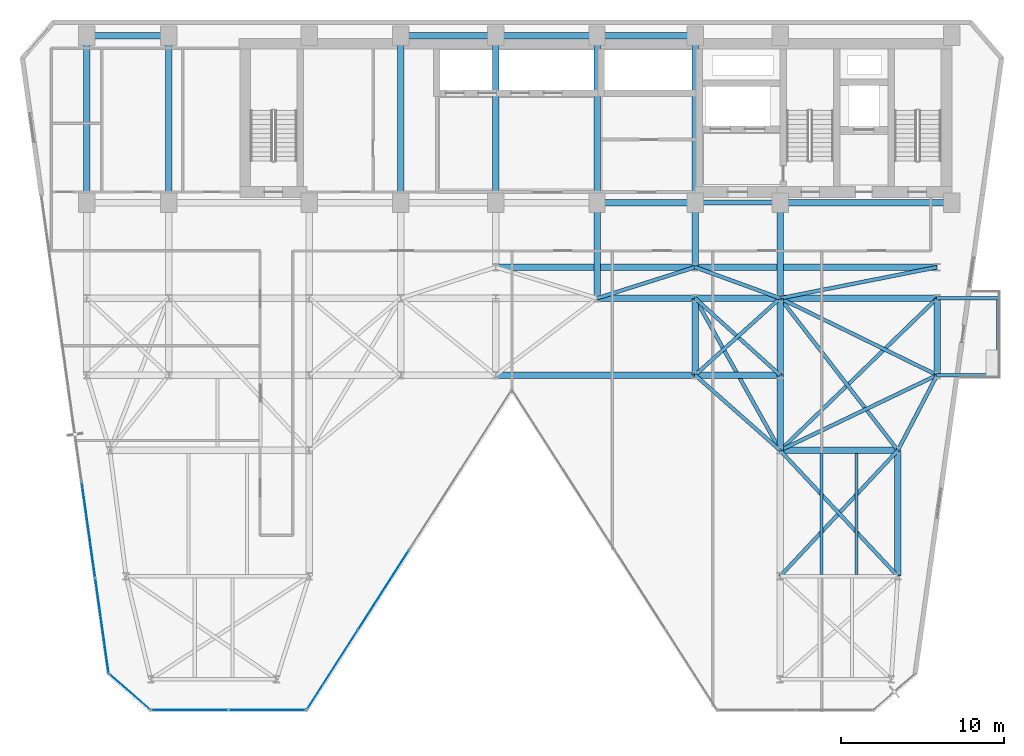
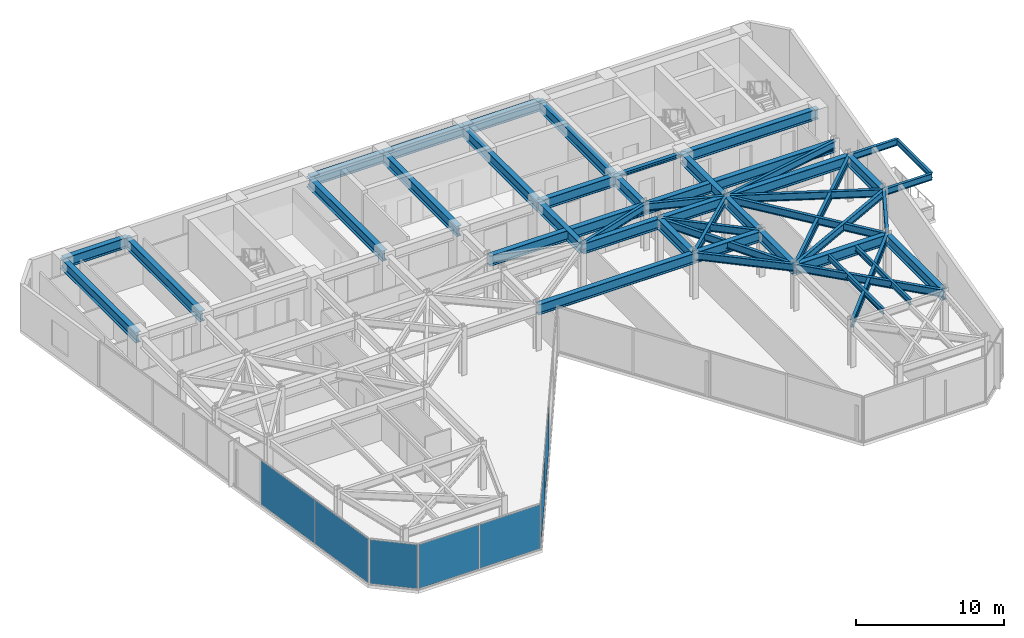
# One storey, part 20 of 26: 48 beams, 7 plates, 4 elements without a shape of their own.
"""IFC4 building model written with IfcOpenShell, lengths in metres."""

from ifc_helpers import new_model, si_unit, direction, frame, origin, origin_2d, place, context, subcontext, project, spatial, rectangle, i_section, extrude, material, layer, layer_set, material_profile, profile_set, type_object, element, aggregate, save


model = new_model("IFC4")

# Units and contexts
model_context = context("Model", 3, precision=1e-05, world=origin(), true_north=direction((0.0, 1.0)))
body_context = subcontext(model_context, "Body", "Model", "MODEL_VIEW")
ifc_project = project(units=[si_unit("LENGTHUNIT", "METRE"), si_unit("AREAUNIT", "SQUARE_METRE"), si_unit("VOLUMEUNIT", "CUBIC_METRE"), si_unit("PLANEANGLEUNIT", "RADIAN"), si_unit("MASSUNIT", "GRAM", prefix="KILO")], contexts=[model_context])

# Site, building, storey
site_placement = place(None, origin())
site = spatial("IfcSite", under=ifc_project, at=site_placement, CompositionType="ELEMENT")
building_placement = place(site_placement, origin())
building = spatial("IfcBuilding", under=site, at=building_placement, Name="Kravanh Interchange Tower", CompositionType="ELEMENT")
storey_placement = place(building_placement, frame((0.0, 0.0, 140.0)))
storey = spatial("IfcBuildingStorey", under=building, at=storey_placement, Name="L33", CompositionType="ELEMENT", Elevation=140.0)

# Beams
ifc_material_1 = material(Name="Structural Steel S355", Category="steel")
ifc_material_profile_1 = material_profile(ifc_material_1, i_section(OverallWidth=0.39990234375, OverallDepth=0.85595703125, WebThickness=0.018310546875, FlangeThickness=0.029296875, FilletRadius=0.02490234375, at=origin_2d()), Name="W33X201")
ifc_profile_set_1 = profile_set([ifc_material_profile_1], Name="Structural Steel S355")
beam_type_1 = type_object("IfcBeamType", Name="Floor Beam W33X201 Structural Steel S355", PredefinedType="BEAM", material=ifc_profile_set_1)
beam_1_placement = place(storey_placement, frame((66.5, 37.35009765625, 3.322021484375), z_axis=(-1.0, 0.0, 0.0), x_axis=(0.0, -1.0, 0.0)))
element("IfcBeam", 1, at=beam_1_placement, inside=storey, type_object=beam_type_1, Name="L33 Primary Floor Girder 5", PredefinedType="BEAM", context=body_context, shape_type="SweptSolid", body=[
    extrude(i_section(OverallWidth=0.39990234375, OverallDepth=0.85595703125, WebThickness=0.018310546875, FlangeThickness=0.029296875, FilletRadius=0.02490234375, at=origin_2d()), origin(), (0.0, 0.0, 1.0), 10.5),
])
beam_2_placement = place(storey_placement, frame((56.0, 37.35009765625, 3.322021484375), z_axis=(0.0, -1.0, 0.0), x_axis=(1.0, 0.0, 0.0)))
element("IfcBeam", 2, at=beam_2_placement, inside=storey, type_object=beam_type_1, Name="L33 Primary Floor Girder 7", PredefinedType="BEAM", context=body_context, shape_type="SweptSolid", body=[
    extrude(i_section(OverallWidth=0.39990234375, OverallDepth=0.85595703125, WebThickness=0.018310546875, FlangeThickness=0.029296875, FilletRadius=0.02490234375, at=origin_2d()), origin(), (0.0, 0.0, 1.0), 5.85009765625),
])
beam_3_placement = place(storey_placement, frame((50.800048828125, 47.550048828125, 3.322021484375), z_axis=(-1.0, 0.0, 0.0), x_axis=(0.0, -1.0, 0.0)))
element("IfcBeam", 3, at=beam_3_placement, inside=storey, type_object=beam_type_1, Name="L33 Primary Floor Girder 8", PredefinedType="BEAM", context=body_context, shape_type="SweptSolid", body=[
    extrude(i_section(OverallWidth=0.39990234375, OverallDepth=0.85595703125, WebThickness=0.018310546875, FlangeThickness=0.029296875, FilletRadius=0.02490234375, at=origin_2d()), origin(), (0.0, 0.0, 1.0), 6.0),
])
beam_4_placement = place(storey_placement, frame((50.800048828125, 47.550048828125, 3.322021484375), z_axis=(0.0, -1.0, 0.0), x_axis=(1.0, 0.0, 0.0)))
element("IfcBeam", 4, at=beam_4_placement, inside=storey, type_object=beam_type_1, Name="L33 Primary Floor Girder 9", PredefinedType="BEAM", context=body_context, shape_type="SweptSolid", body=[
    extrude(i_section(OverallWidth=0.39990234375, OverallDepth=0.85595703125, WebThickness=0.018310546875, FlangeThickness=0.029296875, FilletRadius=0.02490234375, at=origin_2d()), origin(), (0.0, 0.0, 1.0), 10.199951171875),
])
beam_5_placement = place(storey_placement, frame((50.800048828125, 37.35009765625, 3.322021484375), z_axis=(0.0, -1.0, 0.0), x_axis=(1.0, 0.0, 0.0)))
element("IfcBeam", 5, at=beam_5_placement, inside=storey, type_object=beam_type_1, Name="L33 Primary Floor Girder 10", PredefinedType="BEAM", context=body_context, shape_type="SweptSolid", body=[
    extrude(i_section(OverallWidth=0.39990234375, OverallDepth=0.85595703125, WebThickness=0.018310546875, FlangeThickness=0.029296875, FilletRadius=0.02490234375, at=origin_2d()), origin(), (0.0, 0.0, 1.0), 3.9501953125),
])
beam_6_placement = place(storey_placement, frame((50.800048828125, 37.35009765625, 3.322021484375), z_axis=(-1.0, 0.0, 0.0), x_axis=(0.0, -1.0, 0.0)))
element("IfcBeam", 6, at=beam_6_placement, inside=storey, type_object=beam_type_1, Name="L33 Primary Floor Girder 11", PredefinedType="BEAM", context=body_context, shape_type="SweptSolid", body=[
    extrude(i_section(OverallWidth=0.39990234375, OverallDepth=0.85595703125, WebThickness=0.018310546875, FlangeThickness=0.029296875, FilletRadius=0.02490234375, at=origin_2d()), origin(), (0.0, 0.0, 1.0), 6.0),
])
beam_7_placement = place(storey_placement, frame((44.800048828125, 37.35009765625, 3.322021484375), z_axis=(0.0, -1.0, 0.0), x_axis=(1.0, 0.0, 0.0)))
element("IfcBeam", 7, at=beam_7_placement, inside=storey, type_object=beam_type_1, Name="L33 Primary Floor Girder 12", PredefinedType="BEAM", context=body_context, shape_type="SweptSolid", body=[
    extrude(i_section(OverallWidth=0.39990234375, OverallDepth=0.85595703125, WebThickness=0.018310546875, FlangeThickness=0.029296875, FilletRadius=0.02490234375, at=origin_2d()), origin(), (0.0, 0.0, 1.0), 5.85009765625),
])
beam_8_placement = place(storey_placement, frame((44.800048828125, 37.35009765625, 3.322021484375), z_axis=(0.0, 1.0, 0.0), x_axis=(-1.0, 0.0, 0.0)))
element("IfcBeam", 8, at=beam_8_placement, inside=storey, type_object=beam_type_1, Name="L33 Primary Floor Girder 14", PredefinedType="BEAM", context=body_context, shape_type="SweptSolid", body=[
    extrude(i_section(OverallWidth=0.39990234375, OverallDepth=0.85595703125, WebThickness=0.018310546875, FlangeThickness=0.029296875, FilletRadius=0.02490234375, at=origin_2d()), origin(), (0.0, 0.0, 1.0), 10.199951171875),
])
beam_9_placement = place(storey_placement, frame((44.800048828125, 47.550048828125, 3.322021484375), z_axis=(-1.0, 0.0, 0.0), x_axis=(0.0, -1.0, 0.0)))
element("IfcBeam", 9, at=beam_9_placement, inside=storey, type_object=beam_type_1, Name="L33 Primary Floor Girder 15", PredefinedType="BEAM", context=body_context, shape_type="SweptSolid", body=[
    extrude(i_section(OverallWidth=0.39990234375, OverallDepth=0.85595703125, WebThickness=0.018310546875, FlangeThickness=0.029296875, FilletRadius=0.02490234375, at=origin_2d()), origin(), (0.0, 0.0, 1.0), 6.199951171875),
])
beam_10_placement = place(storey_placement, frame((38.60009765625, 37.35009765625, 3.322021484375), z_axis=(0.0, 1.0, 0.0), x_axis=(-1.0, 0.0, 0.0)))
element("IfcBeam", 10, at=beam_10_placement, inside=storey, type_object=beam_type_1, Name="L33 Primary Floor Girder 18", PredefinedType="BEAM", context=body_context, shape_type="SweptSolid", body=[
    extrude(i_section(OverallWidth=0.39990234375, OverallDepth=0.85595703125, WebThickness=0.018310546875, FlangeThickness=0.029296875, FilletRadius=0.02490234375, at=origin_2d()), origin(), (0.0, 0.0, 1.0), 10.199951171875),
])
beam_11_placement = place(storey_placement, frame((38.60009765625, 47.550048828125, 3.322021484375), z_axis=(-1.0, 0.0, 0.0), x_axis=(0.0, -1.0, 0.0)))
element("IfcBeam", 11, at=beam_11_placement, inside=storey, type_object=beam_type_1, Name="L33 Primary Floor Girder 19", PredefinedType="BEAM", context=body_context, shape_type="SweptSolid", body=[
    extrude(i_section(OverallWidth=0.39990234375, OverallDepth=0.85595703125, WebThickness=0.018310546875, FlangeThickness=0.029296875, FilletRadius=0.02490234375, at=origin_2d()), origin(), (0.0, 0.0, 1.0), 5.800048828125),
])
for number, where, z_axis, x_axis, name in (
    (12, (32.800048828125, 37.35009765625, 3.322021484375), (0.0, 1.0, 0.0), (-1.0, 0.0, 0.0), "L33 Primary Floor Girder 22"),
    (13, (18.60009765625, 37.35009765625, 3.322021484375), (0.0, 1.0, 0.0), (-1.0, 0.0, 0.0), "L33 Primary Floor Girder 30"),
):
    element("IfcBeam", number, at=place(storey_placement, frame(where, z_axis=z_axis, x_axis=x_axis)), inside=storey, type_object=beam_type_1, Name=name, PredefinedType="BEAM", context=body_context, shape_type="SweptSolid", body=[
        extrude(i_section(OverallWidth=0.39990234375, OverallDepth=0.85595703125, WebThickness=0.018310546875, FlangeThickness=0.029296875, FilletRadius=0.02490234375, at=origin_2d()), origin(), (0.0, 0.0, 1.0), 10.199951171875),
    ])
beam_12_placement = place(storey_placement, frame((18.60009765625, 47.550048828125, 3.322021484375), z_axis=(-1.0, 0.0, 0.0), x_axis=(0.0, -1.0, 0.0)))
element("IfcBeam", 14, at=beam_12_placement, inside=storey, type_object=beam_type_1, Name="L33 Primary Floor Girder 31", PredefinedType="BEAM", context=body_context, shape_type="SweptSolid", body=[
    extrude(i_section(OverallWidth=0.39990234375, OverallDepth=0.85595703125, WebThickness=0.018310546875, FlangeThickness=0.029296875, FilletRadius=0.02490234375, at=origin_2d()), origin(), (0.0, 0.0, 1.0), 5.0),
])
beam_13_placement = place(storey_placement, frame((13.60009765625, 37.35009765625, 3.322021484375), z_axis=(0.0, 1.0, 0.0), x_axis=(-1.0, 0.0, 0.0)))
element("IfcBeam", 15, at=beam_13_placement, inside=storey, type_object=beam_type_1, Name="L33 Primary Floor Girder 33", PredefinedType="BEAM", context=body_context, shape_type="SweptSolid", body=[
    extrude(i_section(OverallWidth=0.39990234375, OverallDepth=0.85595703125, WebThickness=0.018310546875, FlangeThickness=0.029296875, FilletRadius=0.02490234375, at=origin_2d()), origin(), (0.0, 0.0, 1.0), 10.199951171875),
])
beam_14_placement = place(storey_placement, frame((38.60009765625, 26.800048828125, 3.322021484375), z_axis=(1.0, 0.0, 0.0), x_axis=(0.0, 1.0, 0.0)))
element("IfcBeam", 16, at=beam_14_placement, inside=storey, type_object=beam_type_1, Name="L33 Primary Floor Girder 56", PredefinedType="BEAM", context=body_context, shape_type="SweptSolid", body=[
    extrude(i_section(OverallWidth=0.39990234375, OverallDepth=0.85595703125, WebThickness=0.018310546875, FlangeThickness=0.029296875, FilletRadius=0.02490234375, at=origin_2d()), origin(), (0.0, 0.0, 1.0), 12.199951171875),
])
beam_15_placement = place(storey_placement, frame((50.800048828125, 26.800048828125, 3.322021484375), z_axis=(0.0, 1.0, 0.0), x_axis=(-1.0, 0.0, 0.0)))
element("IfcBeam", 17, at=beam_15_placement, inside=storey, type_object=beam_type_1, Name="L33 Primary Floor Girder 57", PredefinedType="BEAM", context=body_context, shape_type="SweptSolid", body=[
    extrude(i_section(OverallWidth=0.39990234375, OverallDepth=0.85595703125, WebThickness=0.018310546875, FlangeThickness=0.029296875, FilletRadius=0.02490234375, at=origin_2d()), origin(), (0.0, 0.0, 1.0), 4.699951171875),
])
beam_16_placement = place(storey_placement, frame((50.800048828125, 26.800048828125, 3.322021484375), z_axis=(1.0, 0.0, 0.0), x_axis=(0.0, 1.0, 0.0)))
element("IfcBeam", 18, at=beam_16_placement, inside=storey, type_object=beam_type_1, Name="L33 Primary Floor Girder 58", PredefinedType="BEAM", context=body_context, shape_type="SweptSolid", body=[
    extrude(i_section(OverallWidth=0.39990234375, OverallDepth=0.85595703125, WebThickness=0.018310546875, FlangeThickness=0.029296875, FilletRadius=0.02490234375, at=origin_2d()), origin(), (0.0, 0.0, 1.0), 5.199951171875),
])
beam_17_placement = place(storey_placement, frame((56.0, 26.800048828125, 3.322021484375), z_axis=(0.0, -1.0, 0.0), x_axis=(1.0, 0.0, 0.0)))
element("IfcBeam", 19, at=beam_17_placement, inside=storey, type_object=beam_type_1, Name="L33 Primary Floor Girder 61", PredefinedType="BEAM", context=body_context, shape_type="SweptSolid", body=[
    extrude(i_section(OverallWidth=0.39990234375, OverallDepth=0.85595703125, WebThickness=0.018310546875, FlangeThickness=0.029296875, FilletRadius=0.02490234375, at=origin_2d()), origin(), (0.0, 0.0, 1.0), 4.60009765625),
])
for number, where, z_axis, x_axis, name in (
    (20, (56.0, 26.800048828125, 3.322021484375), (0.0, 1.0, 0.0), (-1.0, 0.0, 0.0), "L33 Primary Floor Girder 62"),
    (21, (65.60009765625, 26.800048828125, 3.322021484375), (0.0, 1.0, 0.0), (-1.0, 0.0, 0.0), "L33 Primary Floor Girder 65"),
):
    element("IfcBeam", number, at=place(storey_placement, frame(where, z_axis=z_axis, x_axis=x_axis)), inside=storey, type_object=beam_type_1, Name=name, PredefinedType="BEAM", context=body_context, shape_type="SweptSolid", body=[
        extrude(i_section(OverallWidth=0.39990234375, OverallDepth=0.85595703125, WebThickness=0.018310546875, FlangeThickness=0.029296875, FilletRadius=0.02490234375, at=origin_2d()), origin(), (0.0, 0.0, 1.0), 4.699951171875),
    ])
beam_18_placement = place(storey_placement, frame((44.800048828125, 31.5, 3.322021484375), z_axis=(1.0, 0.0, 0.0), x_axis=(0.0, 1.0, 0.0)))
element("IfcBeam", 22, at=beam_18_placement, inside=storey, type_object=beam_type_1, Name="L33 Primary Floor Girder 83", PredefinedType="BEAM", context=body_context, shape_type="SweptSolid", body=[
    extrude(i_section(OverallWidth=0.39990234375, OverallDepth=0.85595703125, WebThickness=0.018310546875, FlangeThickness=0.029296875, FilletRadius=0.02490234375, at=origin_2d()), origin(), (0.0, 0.0, 1.0), 6.0),
])
beam_19_placement = place(storey_placement, frame((50.800048828125, 31.5, 3.322021484375), z_axis=(1.0, 0.0, 0.0), x_axis=(0.0, 1.0, 0.0)))
element("IfcBeam", 23, at=beam_19_placement, inside=storey, type_object=beam_type_1, Name="L33 Primary Floor Girder 86", PredefinedType="BEAM", context=body_context, shape_type="SweptSolid", body=[
    extrude(i_section(OverallWidth=0.39990234375, OverallDepth=0.85595703125, WebThickness=0.018310546875, FlangeThickness=0.029296875, FilletRadius=0.02490234375, at=origin_2d()), origin(), (0.0, 0.0, 1.0), 5.199951171875),
])
beam_20_placement = place(storey_placement, frame((56.0, 31.5, 3.322021484375), z_axis=(1.0, 0.0, 0.0), x_axis=(0.0, 1.0, 0.0)))
element("IfcBeam", 24, at=beam_20_placement, inside=storey, type_object=beam_type_1, Name="L33 Primary Floor Girder 90", PredefinedType="BEAM", context=body_context, shape_type="SweptSolid", body=[
    extrude(i_section(OverallWidth=0.39990234375, OverallDepth=0.85595703125, WebThickness=0.018310546875, FlangeThickness=0.029296875, FilletRadius=0.02490234375, at=origin_2d()), origin(), (0.0, 0.0, 1.0), 9.60009765625),
])
beam_21_placement = place(storey_placement, frame((63.199951171875, 14.5, 3.322021484375), z_axis=(0.0, 1.0, 0.0), x_axis=(-1.0, 0.0, 0.0)))
element("IfcBeam", 25, at=beam_21_placement, inside=storey, type_object=beam_type_1, Name="L33 Primary Floor Girder 106", PredefinedType="BEAM", context=body_context, shape_type="SweptSolid", body=[
    extrude(i_section(OverallWidth=0.39990234375, OverallDepth=0.85595703125, WebThickness=0.018310546875, FlangeThickness=0.029296875, FilletRadius=0.02490234375, at=origin_2d()), origin(), (0.0, 0.0, 1.0), 7.699951171875),
])
beam_22_placement = place(storey_placement, frame((56.0, 22.199951171875, 3.322021484375), z_axis=(1.0, 0.0, 0.0), x_axis=(0.0, 1.0, 0.0)))
element("IfcBeam", 26, at=beam_22_placement, inside=storey, type_object=beam_type_1, Name="L33 Primary Floor Girder 109", PredefinedType="BEAM", context=body_context, shape_type="SweptSolid", body=[
    extrude(i_section(OverallWidth=0.39990234375, OverallDepth=0.85595703125, WebThickness=0.018310546875, FlangeThickness=0.029296875, FilletRadius=0.02490234375, at=origin_2d()), origin(), (0.0, 0.0, 1.0), 7.199951171875),
])
beam_23_placement = place(storey_placement, frame((38.60009765625, 33.39990234375, 3.322021484375), z_axis=(1.0, 0.0, 0.0), x_axis=(0.0, 1.0, 0.0)))
element("IfcBeam", 27, at=beam_23_placement, inside=storey, type_object=beam_type_1, Name="L33 Primary Floor Girder 111", PredefinedType="BEAM", context=body_context, shape_type="SweptSolid", body=[
    extrude(i_section(OverallWidth=0.39990234375, OverallDepth=0.85595703125, WebThickness=0.018310546875, FlangeThickness=0.029296875, FilletRadius=0.02490234375, at=origin_2d()), origin(), (0.0, 0.0, 1.0), 12.199951171875),
])
beam_24_placement = place(storey_placement, frame((50.800048828125, 33.39990234375, 3.322021484375), z_axis=(1.0, 0.0, 0.0), x_axis=(0.0, 1.0, 0.0)))
element("IfcBeam", 28, at=beam_24_placement, inside=storey, type_object=beam_type_1, Name="L33 Primary Floor Girder 112", PredefinedType="BEAM", context=body_context, shape_type="SweptSolid", body=[
    extrude(i_section(OverallWidth=0.39990234375, OverallDepth=0.85595703125, WebThickness=0.018310546875, FlangeThickness=0.029296875, FilletRadius=0.02490234375, at=origin_2d()), origin(), (0.0, 0.0, 1.0), 14.800048828125),
])
ifc_material_2 = material(Name="Structural Steel S355", Category="steel")
ifc_material_profile_2 = material_profile(ifc_material_2, i_section(OverallWidth=0.18994140625, OverallDepth=0.45703125, WebThickness=0.009033203125, FlangeThickness=0.014404296875, FilletRadius=0.01806640625, at=origin_2d()), Name="W18X50")
ifc_profile_set_2 = profile_set([ifc_material_profile_2], Name="Structural Steel S355")
beam_type_2 = type_object("IfcBeamType", Name="Floor Joist W18X50 Structural Steel S355", PredefinedType="JOIST", material=ifc_profile_set_2)
for number, where, z_axis, x_axis, name in (
    (29, (58.5380859375, 14.60888671875, 3.521484375), (0.0, 1.0, 0.0), (-1.0, 0.0, 0.0), "L33 Secondary Floor Joist 7"),
    (30, (60.662109375, 14.60888671875, 3.521484375), (0.0, 1.0, 0.0), (-1.0, 0.0, 0.0), "L33 Secondary Floor Joist 8"),
):
    element("IfcBeam", number, at=place(storey_placement, frame(where, z_axis=z_axis, x_axis=x_axis)), inside=storey, type_object=beam_type_2, Name=name, PredefinedType="JOIST", context=body_context, shape_type="SweptSolid", body=[
        extrude(i_section(OverallWidth=0.18994140625, OverallDepth=0.45703125, WebThickness=0.009033203125, FlangeThickness=0.014404296875, FilletRadius=0.01806640625, at=origin_2d()), origin(), (0.0, 0.0, 1.0), 7.39599609375),
    ])
beam_25_placement = place(storey_placement, frame((69.330078125, 26.800048828125, 3.521484375), z_axis=(0.0, 1.0, 0.0), x_axis=(-1.0, 0.0, 0.0)))
element("IfcBeam", 31, at=beam_25_placement, inside=storey, type_object=beam_type_2, Name="L33 Balcony Edge Tie Beam E", PredefinedType="JOIST", context=body_context, shape_type="SweptSolid", body=[
    extrude(i_section(OverallWidth=0.18994140625, OverallDepth=0.45703125, WebThickness=0.009033203125, FlangeThickness=0.014404296875, FilletRadius=0.01806640625, at=origin_2d()), origin(), (0.0, 0.0, 1.0), 4.699951171875),
])
ifc_material_3 = material(Name="Structural Steel S355", Category="steel")
ifc_material_profile_3 = material_profile(ifc_material_3, i_section(OverallWidth=0.304931640625, OverallDepth=0.306884765625, WebThickness=0.010009765625, FlangeThickness=0.015380859375, FilletRadius=0.014892578125, at=origin_2d()), Name="W12X65")
ifc_profile_set_3 = profile_set([ifc_material_profile_3], Name="Structural Steel S355")
beam_type_3 = type_object("IfcBeamType", Name="Floor Lintel W12X65 Structural Steel S355", PredefinedType="LINTEL", material=ifc_profile_set_3)
beam_26_placement = place(storey_placement, frame((50.800048828125, 37.35009765625, 3.596435546875), z_axis=(1.0, 0.0, 0.0), x_axis=(0.0, 1.0, 0.0)))
element("IfcBeam", 32, at=beam_26_placement, inside=storey, type_object=beam_type_3, Name="L33 Core Coupling Lintel 1", PredefinedType="LINTEL", context=body_context, shape_type="SweptSolid", body=[
    extrude(i_section(OverallWidth=0.304931640625, OverallDepth=0.306884765625, WebThickness=0.010009765625, FlangeThickness=0.015380859375, FilletRadius=0.014892578125, at=origin_2d()), origin(), (0.0, 0.0, 1.0), 5.199951171875),
])
ifc_material_4 = material(Name="Structural Steel S355", Category="steel")
ifc_material_profile_4 = material_profile(ifc_material_4, i_section(OverallWidth=0.2099609375, OverallDepth=0.537109375, WebThickness=0.010986328125, FlangeThickness=0.017333984375, FilletRadius=0.02001953125, at=origin_2d()), Name="W21X68")
ifc_profile_set_4 = profile_set([ifc_material_profile_4], Name="Structural Steel S355")
beam_type_4 = type_object("IfcBeamType", Name="Floor Spandrel W21X68 Structural Steel S355", PredefinedType="SPANDREL", material=ifc_profile_set_4)
for number, where, z_axis, x_axis, name in (
    (33, (65.60009765625, 26.800048828125, 3.4814453125), (1.0, 0.0, 0.0), (0.0, 1.0, 0.0), "L33 Balcony Cantilever Outrigger E1"),
    (34, (65.60009765625, 31.5, 3.4814453125), (1.0, 0.0, 0.0), (0.0, 1.0, 0.0), "L33 Balcony Cantilever Outrigger E2"),
):
    element("IfcBeam", number, at=place(storey_placement, frame(where, z_axis=z_axis, x_axis=x_axis)), inside=storey, type_object=beam_type_4, Name=name, PredefinedType="SPANDREL", context=body_context, shape_type="SweptSolid", body=[
        extrude(i_section(OverallWidth=0.2099609375, OverallDepth=0.537109375, WebThickness=0.010986328125, FlangeThickness=0.017333984375, FilletRadius=0.02001953125, at=origin_2d()), origin(), (0.0, 0.0, 1.0), 3.72998046875),
    ])
ifc_material_5 = material(Name="Structural Steel S355", Category="steel")
ifc_material_profile_5 = material_profile(ifc_material_5, i_section(OverallWidth=0.22802734375, OverallDepth=0.60791015625, WebThickness=0.01123046875, FlangeThickness=0.017333984375, FilletRadius=0.02197265625, at=origin_2d()), Name="W24X76")
ifc_profile_set_5 = profile_set([ifc_material_profile_5], Name="Structural Steel S355")
beam_type_5 = type_object("IfcBeamType", Name="Floor Spandrel W24X76 Structural Steel S355", PredefinedType="SPANDREL", material=ifc_profile_set_5)
beam_27_placement = place(storey_placement, frame((50.800048828125, 26.800048828125, 3.446044921875), z_axis=(0.74898649432, -0.662585263439, 0.0), x_axis=(0.662585263439, 0.74898649432, 0.0)))
element("IfcBeam", 35, at=beam_27_placement, inside=storey, type_object=beam_type_5, Name="L33 Perimeter Spandrel 59", PredefinedType="SPANDREL", context=body_context, shape_type="SweptSolid", body=[
    extrude(i_section(OverallWidth=0.22802734375, OverallDepth=0.60791015625, WebThickness=0.01123046875, FlangeThickness=0.017333984375, FilletRadius=0.02197265625, at=origin_2d()), origin(), (0.0, 0.0, 1.0), 6.942626953125),
])
for number, where, z_axis, x_axis, name in (
    (36, (50.800048828125, 26.800048828125, 3.446044921875), (0.741874009795, 0.670539300557, 0.0), (-0.670539300557, 0.741874009795, 0.0), "L33 Perimeter Spandrel 60"),
    (37, (56.0, 26.800048828125, 3.446044921875), (-0.741874009795, 0.670539300557, 0.0), (-0.670539300557, -0.741874009795, 0.0), "L33 Perimeter Spandrel 63"),
):
    element("IfcBeam", number, at=place(storey_placement, frame(where, z_axis=z_axis, x_axis=x_axis)), inside=storey, type_object=beam_type_5, Name=name, PredefinedType="SPANDREL", context=body_context, shape_type="SweptSolid", body=[
        extrude(i_section(OverallWidth=0.22802734375, OverallDepth=0.60791015625, WebThickness=0.01123046875, FlangeThickness=0.017333984375, FilletRadius=0.02197265625, at=origin_2d()), origin(), (0.0, 0.0, 1.0), 7.00927734375),
    ])
beam_28_placement = place(storey_placement, frame((65.60009765625, 26.800048828125, 3.446044921875), z_axis=(-0.462580479178, -0.886577295155, 0.0), x_axis=(0.886577295155, -0.462580479178, 0.0)))
element("IfcBeam", 38, at=beam_28_placement, inside=storey, type_object=beam_type_5, Name="L33 Perimeter Spandrel 66", PredefinedType="SPANDREL", context=body_context, shape_type="SweptSolid", body=[
    extrude(i_section(OverallWidth=0.22802734375, OverallDepth=0.60791015625, WebThickness=0.01123046875, FlangeThickness=0.017333984375, FilletRadius=0.02197265625, at=origin_2d()), origin(), (0.0, 0.0, 1.0), 5.188720703125),
])
beam_29_placement = place(storey_placement, frame((65.60009765625, 26.800048828125, 3.446044921875), z_axis=(-0.901814166789, -0.432124066188, 0.0), x_axis=(0.432124066188, -0.901814166789, 0.0)))
element("IfcBeam", 39, at=beam_29_placement, inside=storey, type_object=beam_type_5, Name="L33 Perimeter Spandrel 67", PredefinedType="SPANDREL", context=body_context, shape_type="SweptSolid", body=[
    extrude(i_section(OverallWidth=0.22802734375, OverallDepth=0.60791015625, WebThickness=0.01123046875, FlangeThickness=0.017333984375, FilletRadius=0.02197265625, at=origin_2d()), origin(), (0.0, 0.0, 1.0), 10.645263671875),
])
beam_30_placement = place(storey_placement, frame((65.60009765625, 26.800048828125, 3.446044921875), z_axis=(-0.898141688387, 0.439706160499, 0.0), x_axis=(-0.439706160499, -0.898141688387, 0.0)))
element("IfcBeam", 40, at=beam_30_placement, inside=storey, type_object=beam_type_5, Name="L33 Perimeter Spandrel 68", PredefinedType="SPANDREL", context=body_context, shape_type="SweptSolid", body=[
    extrude(i_section(OverallWidth=0.22802734375, OverallDepth=0.60791015625, WebThickness=0.01123046875, FlangeThickness=0.017333984375, FilletRadius=0.02197265625, at=origin_2d()), origin(), (0.0, 0.0, 1.0), 10.68896484375),
])
beam_31_placement = place(storey_placement, frame((44.800048828125, 31.5, 3.446044921875), z_axis=(0.953346691051, 0.301877602122, 0.0), x_axis=(-0.301877602122, 0.953346691051, 0.0)))
element("IfcBeam", 41, at=beam_31_placement, inside=storey, type_object=beam_type_5, Name="L33 Perimeter Spandrel 84", PredefinedType="SPANDREL", context=body_context, shape_type="SweptSolid", body=[
    extrude(i_section(OverallWidth=0.22802734375, OverallDepth=0.60791015625, WebThickness=0.01123046875, FlangeThickness=0.017333984375, FilletRadius=0.02197265625, at=origin_2d()), origin(), (0.0, 0.0, 1.0), 6.293701171875),
])
beam_32_placement = place(storey_placement, frame((50.800048828125, 31.5, 3.446044921875), z_axis=(0.488026248114, -0.872828952975, 0.0), x_axis=(0.872828952975, 0.488026248114, 0.0)))
element("IfcBeam", 42, at=beam_32_placement, inside=storey, type_object=beam_type_5, Name="L33 Perimeter Spandrel 87", PredefinedType="SPANDREL", context=body_context, shape_type="SweptSolid", body=[
    extrude(i_section(OverallWidth=0.22802734375, OverallDepth=0.60791015625, WebThickness=0.01123046875, FlangeThickness=0.017333984375, FilletRadius=0.02197265625, at=origin_2d()), origin(), (0.0, 0.0, 1.0), 10.655029296875),
])
beam_33_placement = place(storey_placement, frame((56.0, 31.5, 3.446044921875), z_axis=(-0.93926957103, 0.343180233896, 0.0), x_axis=(-0.343180233896, -0.93926957103, 0.0)))
element("IfcBeam", 43, at=beam_33_placement, inside=storey, type_object=beam_type_5, Name="L33 Perimeter Spandrel 89", PredefinedType="SPANDREL", context=body_context, shape_type="SweptSolid", body=[
    extrude(i_section(OverallWidth=0.22802734375, OverallDepth=0.60791015625, WebThickness=0.01123046875, FlangeThickness=0.017333984375, FilletRadius=0.02197265625, at=origin_2d()), origin(), (0.0, 0.0, 1.0), 5.5361328125),
])
beam_34_placement = place(storey_placement, frame((56.0, 31.5, 3.446044921875), z_axis=(0.980974000807, 0.194139150457, 0.0), x_axis=(-0.194139150457, 0.980974000807, 0.0)))
element("IfcBeam", 44, at=beam_34_placement, inside=storey, type_object=beam_type_5, Name="L33 Perimeter Spandrel 91", PredefinedType="SPANDREL", context=body_context, shape_type="SweptSolid", body=[
    extrude(i_section(OverallWidth=0.22802734375, OverallDepth=0.60791015625, WebThickness=0.01123046875, FlangeThickness=0.017333984375, FilletRadius=0.02197265625, at=origin_2d()), origin(), (0.0, 0.0, 1.0), 9.786376953125),
])
beam_35_placement = place(storey_placement, frame((56.0, 31.5, 3.446044921875), z_axis=(0.612168587637, -0.790727273028, 0.0), x_axis=(0.790727273028, 0.612168587637, 0.0)))
element("IfcBeam", 45, at=beam_35_placement, inside=storey, type_object=beam_type_5, Name="L33 Perimeter Spandrel 92", PredefinedType="SPANDREL", context=body_context, shape_type="SweptSolid", body=[
    extrude(i_section(OverallWidth=0.22802734375, OverallDepth=0.60791015625, WebThickness=0.01123046875, FlangeThickness=0.017333984375, FilletRadius=0.02197265625, at=origin_2d()), origin(), (0.0, 0.0, 1.0), 11.761474609375),
])
beam_36_placement = place(storey_placement, frame((65.60009765625, 31.5, 3.446044921875), z_axis=(-0.718241934329, -0.695793449072, 0.0), x_axis=(0.695793449072, -0.718241934329, 0.0)))
element("IfcBeam", 46, at=beam_36_placement, inside=storey, type_object=beam_type_5, Name="L33 Perimeter Spandrel 94", PredefinedType="SPANDREL", context=body_context, shape_type="SweptSolid", body=[
    extrude(i_section(OverallWidth=0.22802734375, OverallDepth=0.60791015625, WebThickness=0.01123046875, FlangeThickness=0.017333984375, FilletRadius=0.02197265625, at=origin_2d()), origin(), (0.0, 0.0, 1.0), 13.3662109375),
])
for number, where, z_axis, x_axis, name in (
    (47, (56.0, 14.5, 3.446044921875), (0.682993762113, 0.73042420614, 0.0), (-0.73042420614, 0.682993762113, 0.0), "L33 Perimeter Spandrel 105"),
    (48, (63.199951171875, 14.5, 3.446044921875), (-0.682993762113, 0.73042420614, 0.0), (-0.73042420614, -0.682993762113, 0.0), "L33 Perimeter Spandrel 107"),
):
    element("IfcBeam", number, at=place(storey_placement, frame(where, z_axis=z_axis, x_axis=x_axis)), inside=storey, type_object=beam_type_5, Name=name, PredefinedType="SPANDREL", context=body_context, shape_type="SweptSolid", body=[
        extrude(i_section(OverallWidth=0.22802734375, OverallDepth=0.60791015625, WebThickness=0.01123046875, FlangeThickness=0.017333984375, FilletRadius=0.02197265625, at=origin_2d()), origin(), (0.0, 0.0, 1.0), 10.541748046875),
    ])

# Curtain wall, plates
ifc_material_6 = material(Name="Anodised Bronze Aluminium", Category="aluminium")
ifc_layer_1 = layer(ifc_material_6, 0.179931640625)
ifc_layer_set_1 = layer_set([ifc_layer_1], Name="Unitised Curtain Wall System CW-Z2 Mid Office")
curtain_wall_type = type_object("IfcCurtainWallType", Name="Unitised Curtain Wall System CW-Z2 Mid Office", PredefinedType="NOTDEFINED", material=ifc_layer_set_1)
curtain_wall_1_placement = place(storey_placement, origin())
curtain_wall_1 = element("IfcCurtainWall", 49, at=curtain_wall_1_placement, inside=storey, type_object=curtain_wall_type, Name="L33 Unitised Curtain Wall CW-L33-01", PredefinedType="NOTDEFINED")
ifc_material_7 = material(Name="Low-E Laminated Architectural Glass", Category="glass")
ifc_layer_2 = layer(ifc_material_7, 0.02587890625)
ifc_layer_set_2 = layer_set([ifc_layer_2], Name="Solar-Control Double Glazing 26mm")
plate_type = type_object("IfcPlateType", Name="Solar-Control Double Glazing 26mm", PredefinedType="CURTAIN_PANEL", material=ifc_layer_set_2)
plate_1_placement = place(storey_placement, frame((14.524169921875, 11.479736328125, 0.06005859375), z_axis=(0.0, 0.0, 1.0), x_axis=(-0.13917285118, 0.990268103846, 0.0)))
plate_1 = element("IfcPlate", 50, at=plate_1_placement, type_object=plate_type, Name="CW-Z2 panel 1.1", PredefinedType="CURTAIN_PANEL", context=body_context, shape_type="SweptSolid", body=[
    extrude(rectangle(XDim=5.81982421875, YDim=0.02587890625, at=origin_2d()), origin(), (0.0, 0.0, 1.0), 3.6298828125),
])
plate_2_placement = place(storey_placement, frame((13.70361328125, 17.317138671875, 0.06005859375), z_axis=(0.0, 0.0, 1.0), x_axis=(-0.13917285118, 0.990268103846, 0.0)))
plate_2 = element("IfcPlate", 51, at=plate_2_placement, type_object=plate_type, Name="CW-Z2 panel 2.1", PredefinedType="CURTAIN_PANEL", context=body_context, shape_type="SweptSolid", body=[
    extrude(rectangle(XDim=5.849853515625, YDim=0.02587890625, at=origin_2d()), origin(), (0.0, 0.0, 1.0), 3.6298828125),
])
aggregate(curtain_wall_1, [plate_1, plate_2])

curtain_wall_2_placement = place(storey_placement, origin())
curtain_wall_2 = element("IfcCurtainWall", 52, at=curtain_wall_2_placement, inside=storey, type_object=curtain_wall_type, Name="L33 Unitised Curtain Wall CW-L33-05", PredefinedType="NOTDEFINED")
plate_3_placement = place(storey_placement, frame((31.74658203125, 13.6708984375, 0.06005859375), z_axis=(0.0, 0.0, 1.0), x_axis=(-0.539664865919, -0.841879939476, 0.0)))
plate_3 = element("IfcPlate", 53, at=plate_3_placement, type_object=plate_type, Name="CW-Z2 panel 3.1", PredefinedType="CURTAIN_PANEL", context=body_context, shape_type="SweptSolid", body=[
    extrude(rectangle(XDim=5.760986328125, YDim=0.02587890625, at=origin_2d()), origin(), (0.0, 0.0, 1.0), 3.6298828125),
])
plate_4_placement = place(storey_placement, frame((28.61328125, 8.782958984375, 0.06005859375), z_axis=(0.0, 0.0, 1.0), x_axis=(-0.539664865919, -0.841879939476, 0.0)))
plate_4 = element("IfcPlate", 54, at=plate_4_placement, type_object=plate_type, Name="CW-Z2 panel 4.1", PredefinedType="CURTAIN_PANEL", context=body_context, shape_type="SweptSolid", body=[
    extrude(rectangle(XDim=5.73095703125, YDim=0.02587890625, at=origin_2d()), origin(), (0.0, 0.0, 1.0), 3.6298828125),
])
aggregate(curtain_wall_2, [plate_3, plate_4])

curtain_wall_3_placement = place(storey_placement, origin())
curtain_wall_3 = element("IfcCurtainWall", 55, at=curtain_wall_3_placement, inside=storey, type_object=curtain_wall_type, Name="L33 Unitised Curtain Wall CW-L33-06", PredefinedType="NOTDEFINED")
plate_5_placement = place(storey_placement, frame((24.63330078125, 6.320068359375, 0.06005859375), z_axis=(0.0, 0.0, 1.0), x_axis=(-1.0, 0.0, 0.0)))
plate_5 = element("IfcPlate", 56, at=plate_5_placement, type_object=plate_type, Name="CW-Z2 panel 1.1", PredefinedType="CURTAIN_PANEL", context=body_context, shape_type="SweptSolid", body=[
    extrude(rectangle(XDim=4.682373046875, YDim=0.02587890625, at=origin_2d()), origin(), (0.0, 0.0, 1.0), 3.6298828125),
])
plate_6_placement = place(storey_placement, frame((19.890869140625, 6.320068359375, 0.06005859375), z_axis=(0.0, 0.0, 1.0), x_axis=(-1.0, 0.0, 0.0)))
plate_6 = element("IfcPlate", 57, at=plate_6_placement, type_object=plate_type, Name="CW-Z2 panel 2.1", PredefinedType="CURTAIN_PANEL", context=body_context, shape_type="SweptSolid", body=[
    extrude(rectangle(XDim=4.682373046875, YDim=0.02587890625, at=origin_2d()), origin(), (0.0, 0.0, 1.0), 3.6298828125),
])
aggregate(curtain_wall_3, [plate_5, plate_6])

# Curtain wall, plate
curtain_wall_4_placement = place(storey_placement, origin())
curtain_wall_4 = element("IfcCurtainWall", 58, at=curtain_wall_4_placement, inside=storey, type_object=curtain_wall_type, Name="L33 Unitised Curtain Wall CW-L33-07", PredefinedType="NOTDEFINED")
plate_7_placement = place(storey_placement, frame((16.213623046875, 7.429443359375, 0.06005859375), z_axis=(0.0, 0.0, 1.0), x_axis=(-0.754719458103, 0.656047665617, 0.0)))
plate_7 = element("IfcPlate", 59, at=plate_7_placement, type_object=plate_type, Name="CW-Z2 panel 1.1", PredefinedType="CURTAIN_PANEL", context=body_context, shape_type="SweptSolid", body=[
    extrude(rectangle(XDim=3.261962890625, YDim=0.02587890625, at=origin_2d()), origin(), (0.0, 0.0, 1.0), 3.6298828125),
])
aggregate(curtain_wall_4, [plate_7])

save(model, "model.ifc")
